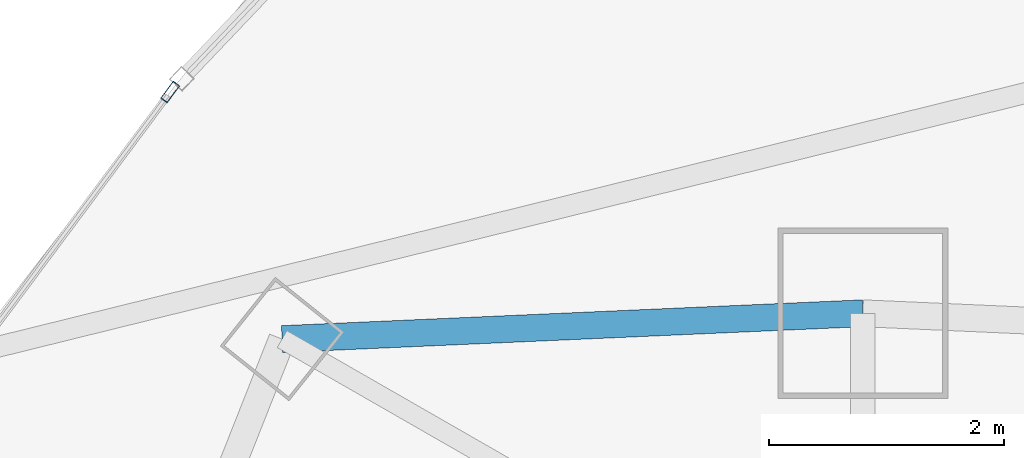
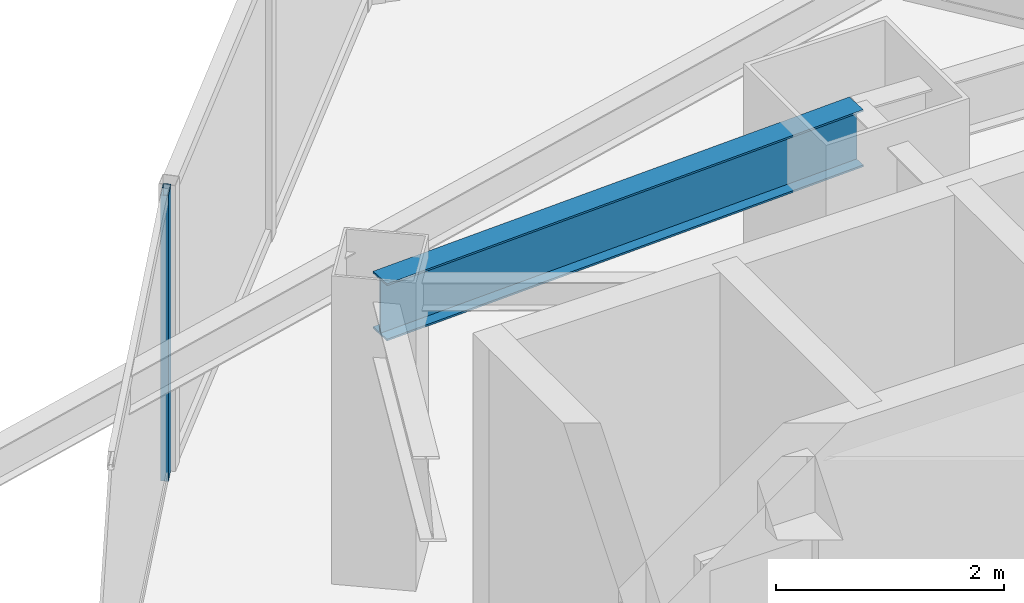
# One storey, part 20 of 30: 1 beam, 1 member, 1 element without a shape of its own.
"""IFC4 building model written with IfcOpenShell, lengths in metres."""

from ifc_helpers import new_model, si_unit, direction, frame, origin, origin_2d, place, context, subcontext, project, spatial, hollow_rectangle, i_section, extrude, material, layer, layer_set, material_profile, profile_set, type_object, element, aggregate, save


model = new_model("IFC4")

# Units and contexts
model_context = context("Model", 3, precision=1e-05, world=origin(), true_north=direction((0.0, 1.0)))
body_context = subcontext(model_context, "Body", "Model", "MODEL_VIEW")
ifc_project = project(units=[si_unit("LENGTHUNIT", "METRE"), si_unit("AREAUNIT", "SQUARE_METRE"), si_unit("VOLUMEUNIT", "CUBIC_METRE"), si_unit("PLANEANGLEUNIT", "RADIAN"), si_unit("MASSUNIT", "GRAM", prefix="KILO")], contexts=[model_context])

# Site, building, storey
site_placement = place(None, origin())
site = spatial("IfcSite", under=ifc_project, at=site_placement, CompositionType="ELEMENT")
building_placement = place(site_placement, origin())
building = spatial("IfcBuilding", under=site, at=building_placement, Name="Orvanel Arch Residences", CompositionType="ELEMENT")
storey_placement = place(building_placement, frame((0.0, 0.0, 136.39990234375)))
storey = spatial("IfcBuildingStorey", under=building, at=storey_placement, Name="L38", CompositionType="ELEMENT", Elevation=136.39990234375)

# Curtain wall, member
ifc_material_1 = material(Name="Bronze-anodised aluminium AA6063-T6", Category="aluminium")
ifc_layer = layer(ifc_material_1, 0.179931640625)
ifc_layer_set = layer_set([ifc_layer], Name="Bronze-anodised aluminium AA6063-T6")
curtain_wall_type = type_object("IfcCurtainWallType", Name="CW3-MID-SYS", PredefinedType="NOTDEFINED", material=ifc_layer_set)
curtain_wall_placement = place(storey_placement, origin())
curtain_wall = element("IfcCurtainWall", 1, at=curtain_wall_placement, inside=storey, type_object=curtain_wall_type, Name="L38 CW3-MID-SYS Unitised Curtain Wall", PredefinedType="NOTDEFINED")
ifc_material_profile_1 = material_profile(ifc_material_1, hollow_rectangle(XDim=0.070068359375, YDim=0.179931640625, WallThickness=0.00439453125, at=origin_2d()), Name="ALU180x70x4.5")
ifc_profile_set_1 = profile_set([ifc_material_profile_1], Name="Bronze-anodised aluminium AA6063-T6")
member_type = type_object("IfcMemberType", Name="MUL-180x70", PredefinedType="MULLION", material=ifc_profile_set_1)
member_placement = place(storey_placement, frame((27.09619140625, 43.283935546875, 0.0), z_axis=(0.0, 0.0, 1.0), x_axis=(0.801813762641, -0.597574003819, 0.0)))
member = element("IfcMember", 2, at=member_placement, type_object=member_type, Name="CW-S3 mullion 1", PredefinedType="MULLION", context=body_context, shape_type="SweptSolid", body=[
    extrude(hollow_rectangle(XDim=0.070068359375, YDim=0.179931640625, WallThickness=0.00439453125, at=origin_2d()), origin(), (0.0, 0.0, 1.0), 3.06005859375),
])
aggregate(curtain_wall, [member])

# Beam
ifc_material_2 = material(Name="Structural steel AS/NZS 3679.1 Grade 300 (300 MPa)", Category="steel")
ifc_material_profile_2 = material_profile(ifc_material_2, i_section(OverallWidth=0.22900390625, OverallDepth=0.612060546875, WebThickness=0.011962890625, FlangeThickness=0.01953125, at=origin_2d()), Name="610UB125")
ifc_profile_set_2 = profile_set([ifc_material_profile_2], Name="Structural steel AS/NZS 3679.1 Grade 300 (300 MPa)")
beam_type = type_object("IfcBeamType", Name="SP-610UB", PredefinedType="SPANDREL", material=ifc_profile_set_2)
beam_placement = place(storey_placement, frame((33.0, 41.39794921875, 2.754150390625), z_axis=(-0.999014049296, -0.044395149614, 0.0), x_axis=(0.044395149614, -0.999014049296, 0.0)))
element("IfcBeam", 3, at=beam_placement, inside=storey, type_object=beam_type, Name="L38 Perimeter Spandrel Beam 15", PredefinedType="SPANDREL", context=body_context, shape_type="SweptSolid", body=[
    extrude(i_section(OverallWidth=0.22900390625, OverallDepth=0.612060546875, WebThickness=0.011962890625, FlangeThickness=0.01953125, at=origin_2d()), origin(), (0.0, 0.0, 1.0), 4.954833984375),
])

save(model, "model.ifc")
